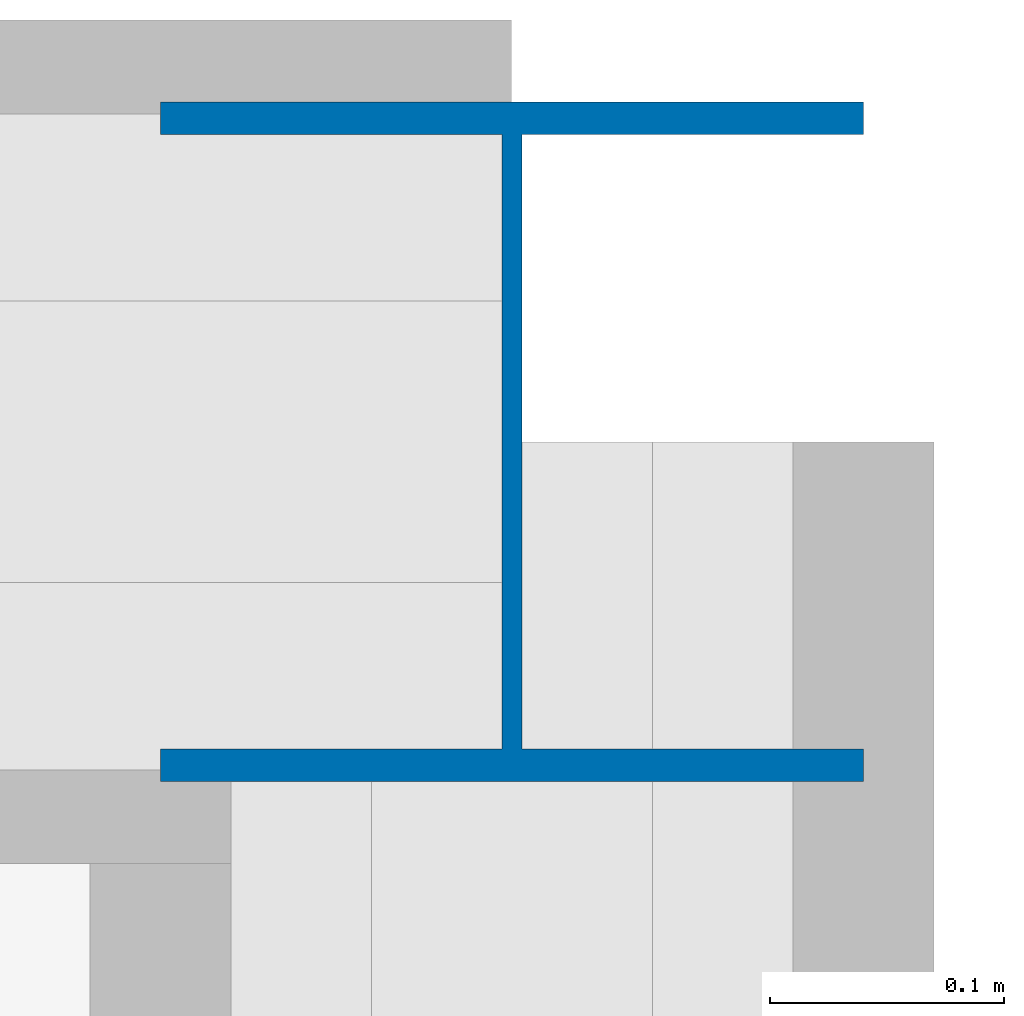
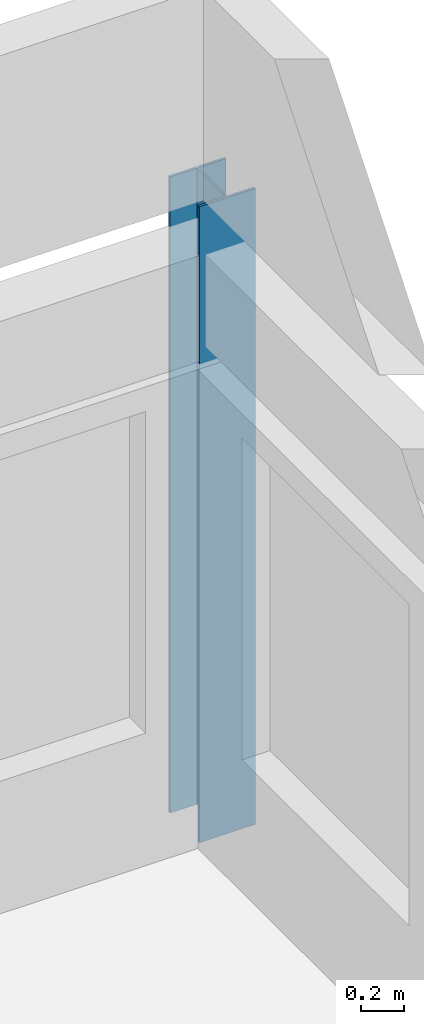
# One storey, part 5 of 21: 1 column.
"""IFC4 building model written with IfcOpenShell, lengths in metres."""

from ifc_helpers import new_model, si_unit, direction, frame, origin, origin_2d, place, context, subcontext, project, spatial, i_section, extrude, material, material_profile, profile_set, type_object, element, save


model = new_model("IFC4")

# Units and contexts
model_context = context("Model", 3, precision=1e-05, world=origin(), true_north=direction((0.0, 1.0)))
body_context = subcontext(model_context, "Body", "Model", "MODEL_VIEW")
ifc_project = project(units=[si_unit("LENGTHUNIT", "METRE"), si_unit("AREAUNIT", "SQUARE_METRE"), si_unit("VOLUMEUNIT", "CUBIC_METRE"), si_unit("PLANEANGLEUNIT", "RADIAN"), si_unit("MASSUNIT", "GRAM", prefix="KILO")], contexts=[model_context])

# Site, building, storey
site_placement = place(None, origin())
site = spatial("IfcSite", under=ifc_project, at=site_placement, CompositionType="ELEMENT")
building_placement = place(site_placement, origin())
building = spatial("IfcBuilding", under=site, at=building_placement, Name="Kahlenmark Community Centre", CompositionType="ELEMENT")
storey_placement = place(building_placement, frame((0.0, 0.0, 21.60009765625)))
storey = spatial("IfcBuildingStorey", under=building, at=storey_placement, Name="L05", CompositionType="ELEMENT", Elevation=21.60009765625)

# Column
ifc_material = material(Name="Steel S355", Category="steel")
ifc_material_profile = material_profile(ifc_material, i_section(OverallWidth=0.300048828125, OverallDepth=0.2900390625, WebThickness=0.008544921875, FlangeThickness=0.013916015625, at=origin_2d()), Name="HEA 300")
ifc_profile_set = profile_set([ifc_material_profile], Name="Steel S355")
column_type = type_object("IfcColumnType", Name="CT-HEA300", PredefinedType="COLUMN", material=ifc_profile_set)
column_placement = place(storey_placement, frame((86.800048828125, 115.0, 0.0), z_axis=(0.0, 0.0, 1.0), x_axis=(1.0, 0.0, 0.0)))
element("IfcColumn", 1, at=column_placement, inside=storey, type_object=column_type, Name="L05 column (86.8, 115.0)", PredefinedType="COLUMN", context=body_context, shape_type="SweptSolid", body=[
    extrude(i_section(OverallWidth=0.300048828125, OverallDepth=0.2900390625, WebThickness=0.008544921875, FlangeThickness=0.013916015625, at=origin_2d()), origin(), (0.0, 0.0, 1.0), 3.599853515625),
])

save(model, "model.ifc")
